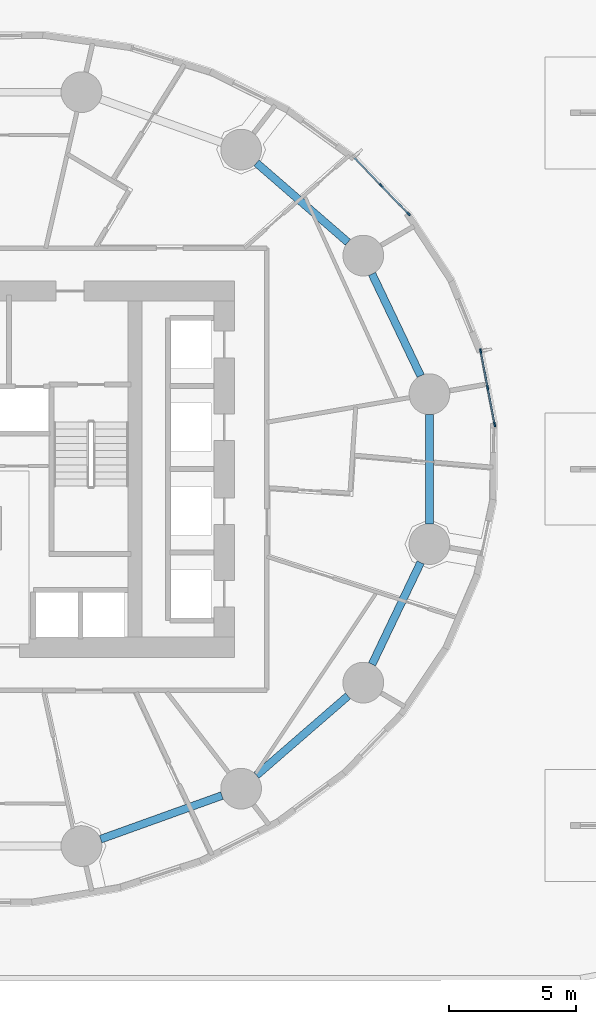
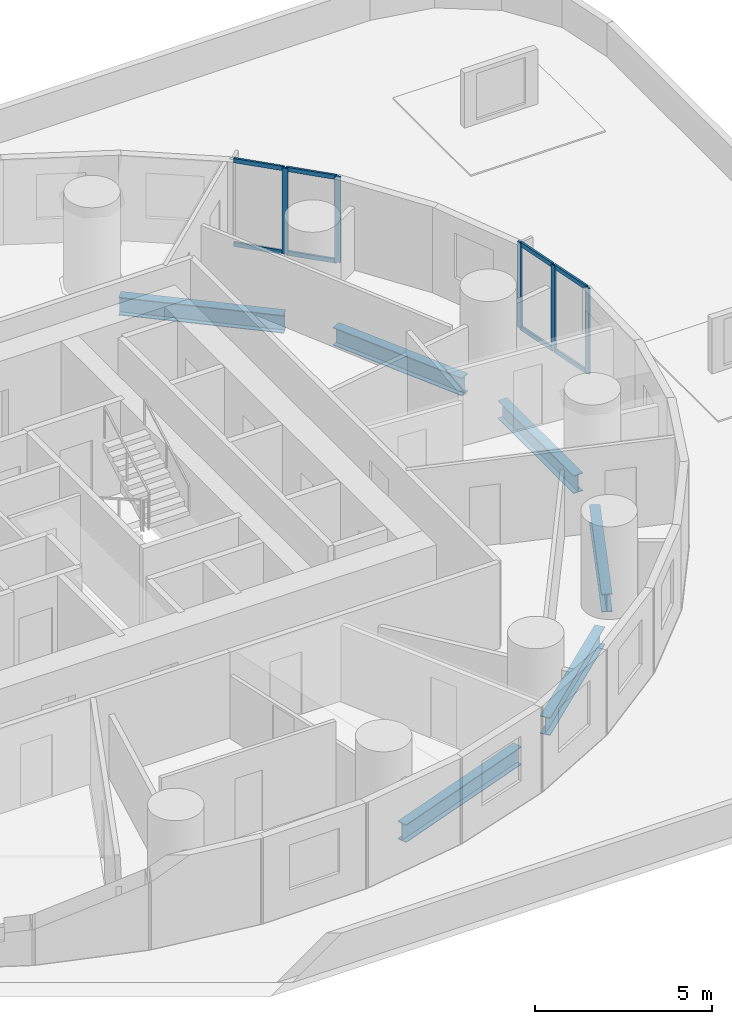
# One storey, part 3 of 12: 13 members, 6 beams, 2 elements without a shape of their own.
"""IFC4 building model written with IfcOpenShell, lengths in metres."""

import ifcopenshell
import ifcopenshell.guid

model = None  # the IFC model being written
_history = None  # IfcOwnerHistory: only IFC2X3 demands one
_inside = {}  # id of a spatial element -> (the spatial element, [elements in it])
_under = {}  # id of a project, library or spatial element -> (it, [spatial elements below it])
_declared = {}  # id of a project -> (the project, [libraries it declares])
_typed = {}  # id of a type object -> (the type object, [elements of that type])
_made_of = {}  # id of a material, layer set ... -> (it, [elements and type objects made of it])


def new_model(schema):
    """Start an empty IFC model of exactly this schema.

    Asked for "IFC4X3", IfcOpenShell would pick the latest addendum, in which some entities
    have other attributes; the version numbers below select the first issue.
    IFC2X3 requires an IfcOwnerHistory on every rooted entity: one is made here for all.
    """
    global model, _history
    if schema == "IFC4X3":
        model = ifcopenshell.file(schema_version=(4, 3, 0, 0))
    else:
        model = ifcopenshell.file(schema=schema)
    _inside.clear()
    _under.clear()
    _declared.clear()
    _typed.clear()
    _made_of.clear()
    _history = None
    if model.schema == "IFC2X3":
        org = make("IfcOrganization", Name="unknown")
        user = make(
            "IfcPersonAndOrganization",
            ThePerson=make("IfcPerson", FamilyName="unknown"),
            TheOrganization=org,
        )
        app = make(
            "IfcApplication",
            ApplicationDeveloper=org,
            Version="unknown",
            ApplicationFullName="unknown",
            ApplicationIdentifier="unknown",
        )
        _history = make(
            "IfcOwnerHistory",
            OwningUser=user,
            OwningApplication=app,
            ChangeAction="ADDED",
            CreationDate=0,
        )
    return model


def make(cls, **values):
    """One entity of the class cls with the attributes given. An attribute that is None is left unset."""
    return model.create_entity(
        cls, **{name: value for name, value in values.items() if value is not None}
    )


def rooted(cls, **values):
    """An entity with a GlobalId (a new one), such as an element, a storey or a relation."""
    return make(cls, GlobalId=ifcopenshell.guid.new(), OwnerHistory=_history, **values)


def si_unit(unit_type, name, prefix=None):
    """IfcSIUnit, for example si_unit("LENGTHUNIT", "METRE", prefix="MILLI")."""
    return make("IfcSIUnit", UnitType=unit_type, Prefix=prefix, Name=name)


def assignment(units):
    """IfcUnitAssignment: the units of a project."""
    return None if units is None else make("IfcUnitAssignment", Units=units)


def point(xyz):
    """IfcCartesianPoint."""
    return None if xyz is None else make("IfcCartesianPoint", Coordinates=xyz)


def direction(xyz):
    """IfcDirection."""
    return None if xyz is None else make("IfcDirection", DirectionRatios=xyz)


def frame(location, z_axis=None, x_axis=None):
    """IfcAxis2Placement3D, a coordinate frame: its origin and axes. An axis left out is left unset."""
    return make(
        "IfcAxis2Placement3D",
        Location=point(location),
        Axis=direction(z_axis),
        RefDirection=direction(x_axis),
    )


def frame_2d(location, x_axis=None):
    """IfcAxis2Placement2D, a coordinate frame in the plane: its origin and x axis."""
    return make(
        "IfcAxis2Placement2D", Location=point(location), RefDirection=direction(x_axis)
    )


def origin():
    """The frame at (0, 0, 0) with its axes left unset."""
    return frame((0.0, 0.0, 0.0))


def origin_2d():
    """The frame at (0, 0) in the plane with its x axis left unset."""
    return frame_2d((0.0, 0.0))


def place(relative_to, where):
    """IfcLocalPlacement: puts the frame where relative to a parent placement (None: the world)."""
    return make(
        "IfcLocalPlacement", PlacementRelTo=relative_to, RelativePlacement=where
    )


def context(
    kind, dimensions, precision=None, world=None, true_north=None, identifier=None
):
    """IfcGeometricRepresentationContext, for example the 3D "Model" context."""
    return make(
        "IfcGeometricRepresentationContext",
        ContextIdentifier=identifier,
        ContextType=kind,
        CoordinateSpaceDimension=dimensions,
        Precision=precision,
        WorldCoordinateSystem=world,
        TrueNorth=true_north,
    )


def subcontext(parent, identifier, kind, view, scale=None):
    """IfcGeometricRepresentationSubContext, for example "Body" below "Model"."""
    return make(
        "IfcGeometricRepresentationSubContext",
        ContextIdentifier=identifier,
        ContextType=kind,
        ParentContext=parent,
        TargetScale=scale,
        TargetView=view,
    )


def project(units=None, contexts=None):
    """IfcProject with its units and contexts."""
    return rooted(
        "IfcProject",
        Name="project",
        RepresentationContexts=contexts,
        UnitsInContext=assignment(units),
    )


def spatial(cls, under=None, at=None, **own):
    """A site, building, storey or space (cls), placed at a placement, below another one or the project."""
    s = rooted(cls, ObjectPlacement=at, **own)
    if under is not None:
        _under.setdefault(under.id(), (under, []))[1].append(s)
    return s


def profile(cls, at=None, kind="AREA", **sizes):
    """A parametric profile (cls). Its sizes go by their IFC names, for example OverallWidth=200.0."""
    return make(cls, ProfileType=kind, Position=at, **sizes)


def rectangle(**sizes):
    """IfcRectangleProfileDef."""
    return profile("IfcRectangleProfileDef", **sizes)


def i_section(**sizes):
    """IfcIShapeProfileDef."""
    return profile("IfcIShapeProfileDef", **sizes)


def extrude(swept, where, along, depth):
    """IfcExtrudedAreaSolid: the profile swept, set in the frame where, extruded along a direction by depth."""
    return make(
        "IfcExtrudedAreaSolid",
        SweptArea=swept,
        Position=where,
        ExtrudedDirection=direction(along),
        Depth=depth,
    )


def shape(context_of_items, identifier, shape_type, items):
    """IfcShapeRepresentation: the items that make up one representation, for example the "Body"."""
    return make(
        "IfcShapeRepresentation",
        ContextOfItems=context_of_items,
        RepresentationIdentifier=identifier,
        RepresentationType=shape_type,
        Items=items,
    )


def material(Name=None, Category=None):
    """IfcMaterial."""
    return make("IfcMaterial", Name=Name, Category=Category)


def material_profile(
    of_material, cross_section, Name=None, Category=None, Priority=None
):
    """IfcMaterialProfile: a cross section and its material."""
    return make(
        "IfcMaterialProfile",
        Name=Name,
        Material=of_material,
        Profile=cross_section,
        Priority=Priority,
        Category=Category,
    )


def profile_set(profiles, Name=None, composite=None):
    """IfcMaterialProfileSet."""
    return make(
        "IfcMaterialProfileSet",
        Name=Name,
        MaterialProfiles=profiles,
        CompositeProfile=composite,
    )


def made_of(thing, what):
    """Note that an element or type object is made of a material, layer set ...; save() writes the relation."""
    if what is not None:
        _made_of.setdefault(what.id(), (what, []))[1].append(thing)
    return thing


def type_object(cls, material=None, **own):
    """A type object (cls), such as IfcWallType, which elements share."""
    return made_of(rooted(cls, **own), material)


def element(
    cls,
    number,
    at=None,
    inside=None,
    cuts=None,
    type_object=None,
    material=None,
    context=None,
    identifier="Body",
    shape_type=None,
    held_by="IfcProductDefinitionShape",
    body=None,
    shapes=None,
    **own,
):
    """One element of the class cls, such as IfcWall. Its Tag is "e" and its number.

    at: its placement. inside: the storey or other place that contains it. cuts: it is an
    opening in that element (IfcRelVoidsElement). A single representation is given by context,
    identifier, shape_type and body (its items); several are given by shapes. held_by: the class
    of the entity that holds the representations. save() writes the other relations.
    """
    e = rooted(cls, Tag="e%d" % number, ObjectPlacement=at, **own)
    if body is not None:
        shapes = [shape(context, identifier, shape_type, body)]
    if shapes is not None:
        e.Representation = make(held_by, Representations=shapes)
    if inside is not None:
        _inside.setdefault(inside.id(), (inside, []))[1].append(e)
    if cuts is not None:
        rooted(
            "IfcRelVoidsElement", RelatingBuildingElement=cuts, RelatedOpeningElement=e
        )
    if type_object is not None:
        _typed.setdefault(type_object.id(), (type_object, []))[1].append(e)
    return made_of(e, material)


def aggregate(whole, parts):
    """IfcRelAggregates: a whole, such as a stair, and the parts it consists of."""
    return rooted("IfcRelAggregates", RelatingObject=whole, RelatedObjects=parts)


def save(model, path):
    """Write the relations noted so far, then the file.

    IfcRelAggregates (storeys below a building ...), IfcRelContainedInSpatialStructure (elements
    in a storey), IfcRelDefinesByType, IfcRelAssociatesMaterial and IfcRelDeclares: one each for
    every whole, place, type object, material and project.
    """
    for whole, parts in _under.values():
        aggregate(whole, parts)
    for where, things in _inside.values():
        rooted(
            "IfcRelContainedInSpatialStructure",
            RelatedElements=things,
            RelatingStructure=where,
        )
    for kind, things in _typed.values():
        rooted("IfcRelDefinesByType", RelatedObjects=things, RelatingType=kind)
    for what, things in _made_of.values():
        rooted("IfcRelAssociatesMaterial", RelatedObjects=things, RelatingMaterial=what)
    for by, libraries in _declared.values():
        rooted("IfcRelDeclares", RelatingContext=by, RelatedDefinitions=libraries)
    model.write(path)


model = new_model("IFC4")

# Units and contexts
model_context = context("Model", 3, precision=1e-05, world=origin(), true_north=direction((0.0, 1.0)))
body_context = subcontext(model_context, "Body", "Model", "MODEL_VIEW")
ifc_project = project(units=[si_unit("LENGTHUNIT", "METRE"), si_unit("AREAUNIT", "SQUARE_METRE"), si_unit("VOLUMEUNIT", "CUBIC_METRE"), si_unit("PLANEANGLEUNIT", "RADIAN"), si_unit("MASSUNIT", "GRAM", prefix="KILO")], contexts=[model_context])

# Site, building, storey
site_placement = place(None, origin())
site = spatial("IfcSite", under=ifc_project, at=site_placement, CompositionType="ELEMENT")
building_placement = place(site_placement, origin())
building = spatial("IfcBuilding", under=site, at=building_placement, Name="Veldorim Arch Residences", CompositionType="ELEMENT")
storey_placement = place(building_placement, frame((0.0, 0.0, 24.800048828125)))
storey = spatial("IfcBuildingStorey", under=building, at=storey_placement, Name="L06", CompositionType="ELEMENT", Elevation=24.800048828125)

# Beams
ifc_material_1 = material(Name="Steel S355", Category="steel")
ifc_material_profile_1 = material_profile(ifc_material_1, i_section(OverallWidth=0.30712890625, OverallDepth=0.6201171875, WebThickness=0.01416015625, FlangeThickness=0.023681640625, at=origin_2d()), Name="UB610x305x179")
ifc_profile_set_1 = profile_set([ifc_material_profile_1], Name="Steel S355")
beam_type = type_object("IfcBeamType", Name="Structural Steel Beam UB610x305x179", PredefinedType="BEAM", material=ifc_profile_set_1)
beam_1_placement = place(storey_placement, frame((48.72119140625, 27.66796875, -0.550048828125), z_axis=(-0.430786696724, 0.902453778276, 0.0), x_axis=(-0.902453778276, -0.430786696724, 0.0)))
element("IfcBeam", 1, at=beam_1_placement, inside=storey, type_object=beam_type, Name="L06 perimeter ring tie beam 01", PredefinedType="BEAM", context=body_context, shape_type="SweptSolid", body=[
    extrude(i_section(OverallWidth=0.30712890625, OverallDepth=0.6201171875, WebThickness=0.01416015625, FlangeThickness=0.023681640625, at=origin_2d()), origin(), (0.0, 0.0, 1.0), 4.431396484375),
])
beam_2_placement = place(storey_placement, frame((45.86328125, 32.913330078125, -0.550048828125), z_axis=(-0.755235029424, 0.655454079499, 0.0), x_axis=(-0.655454079499, -0.755235029424, 0.0)))
element("IfcBeam", 2, at=beam_2_placement, inside=storey, type_object=beam_type, Name="L06 perimeter ring tie beam 02", PredefinedType="BEAM", context=body_context, shape_type="SweptSolid", body=[
    extrude(i_section(OverallWidth=0.30712890625, OverallDepth=0.6201171875, WebThickness=0.01416015625, FlangeThickness=0.023681640625, at=origin_2d()), origin(), (0.0, 0.0, 1.0), 4.756591796875),
])
beam_3_placement = place(storey_placement, frame((36.1474609375, 9.460693359375, -0.550048828125), z_axis=(0.94103540046, 0.338308106732, 0.0), x_axis=(-0.338308106732, 0.94103540046, 0.0)))
element("IfcBeam", 3, at=beam_3_placement, inside=storey, type_object=beam_type, Name="L06 perimeter ring tie beam 13", PredefinedType="BEAM", context=body_context, shape_type="SweptSolid", body=[
    extrude(i_section(OverallWidth=0.30712890625, OverallDepth=0.6201171875, WebThickness=0.01416015625, FlangeThickness=0.023681640625, at=origin_2d()), origin(), (0.0, 0.0, 1.0), 5.065185546875),
])
beam_4_placement = place(storey_placement, frame((42.27099609375, 11.968994140625, -0.550048828125), z_axis=(0.755235029424, 0.655454079499, 0.0), x_axis=(-0.655454079499, 0.755235029424, 0.0)))
element("IfcBeam", 4, at=beam_4_placement, inside=storey, type_object=beam_type, Name="L06 perimeter ring tie beam 14", PredefinedType="BEAM", context=body_context, shape_type="SweptSolid", body=[
    extrude(i_section(OverallWidth=0.30712890625, OverallDepth=0.6201171875, WebThickness=0.01416015625, FlangeThickness=0.023681640625, at=origin_2d()), origin(), (0.0, 0.0, 1.0), 4.756591796875),
])
beam_5_placement = place(storey_placement, frame((46.812255859375, 16.3330078125, -0.550048828125), z_axis=(0.430786696724, 0.902453778276, 0.0), x_axis=(-0.902453778276, 0.430786696724, 0.0)))
element("IfcBeam", 5, at=beam_5_placement, inside=storey, type_object=beam_type, Name="L06 perimeter ring tie beam 15", PredefinedType="BEAM", context=body_context, shape_type="SweptSolid", body=[
    extrude(i_section(OverallWidth=0.30712890625, OverallDepth=0.6201171875, WebThickness=0.01416015625, FlangeThickness=0.023681640625, at=origin_2d()), origin(), (0.0, 0.0, 1.0), 4.431396484375),
])
beam_6_placement = place(storey_placement, frame((49.065673828125, 21.85400390625, -0.550048828125), z_axis=(0.0, 1.0, 0.0), x_axis=(-1.0, 0.0, 0.0)))
element("IfcBeam", 6, at=beam_6_placement, inside=storey, type_object=beam_type, Name="L06 perimeter ring tie beam 16", PredefinedType="BEAM", context=body_context, shape_type="SweptSolid", body=[
    extrude(i_section(OverallWidth=0.30712890625, OverallDepth=0.6201171875, WebThickness=0.01416015625, FlangeThickness=0.023681640625, at=origin_2d()), origin(), (0.0, 0.0, 1.0), 4.2919921875),
])

# Curtain wall, members
ifc_material_2 = material(Name="Aluminium", Category="aluminium")
curtain_wall_type = type_object("IfcCurtainWallType", Name="Zone 1 Acoustic Low-E Unitised Curtain Wall", PredefinedType="NOTDEFINED", material=ifc_material_2)
curtain_wall_1_placement = place(storey_placement, origin())
curtain_wall_1 = element("IfcCurtainWall", 7, at=curtain_wall_1_placement, inside=storey, type_object=curtain_wall_type, Name="L06 unitised curtain wall bay 01", PredefinedType="NOTDEFINED")
ifc_material_3 = material(Name="Aluminium", Category="aluminium")
ifc_material_profile_2 = material_profile(ifc_material_3, rectangle(XDim=0.06494140625, YDim=0.175048828125, at=origin_2d()), Name="ALU_MUL_65x175")
ifc_profile_set_2 = profile_set([ifc_material_profile_2], Name="Aluminium")
member_type_1 = type_object("IfcMemberType", Name="Zone 1 Acoustic Low-E Unitised Curtain Wall Mullion 65x175", PredefinedType="MULLION", material=ifc_profile_set_2)
member_1_placement = place(storey_placement, frame((51.0791015625, 28.639404296875, 0.0), z_axis=(0.0, 0.0, 1.0), x_axis=(0.982317566124, 0.187222325819, 0.0)))
member_1 = element("IfcMember", 8, at=member_1_placement, type_object=member_type_1, Name="CW-Z1 mullion 1", PredefinedType="MULLION", context=body_context, shape_type="SweptSolid", body=[
    extrude(rectangle(XDim=0.06494140625, YDim=0.175048828125, at=origin_2d()), origin(), (0.0, 0.0, 1.0), 2.9599609375),
])
member_2_placement = place(storey_placement, frame((51.35400390625, 27.197021484375, 0.0), z_axis=(0.0, 0.0, 1.0), x_axis=(0.982317566124, 0.187222325819, 0.0)))
member_2 = element("IfcMember", 9, at=member_2_placement, type_object=member_type_1, Name="CW-Z1 mullion 2", PredefinedType="MULLION", context=body_context, shape_type="SweptSolid", body=[
    extrude(rectangle(XDim=0.06494140625, YDim=0.175048828125, at=origin_2d()), origin(), (0.0, 0.0, 1.0), 2.9599609375),
])
member_3_placement = place(storey_placement, frame((51.62890625, 25.754638671875, 0.0), z_axis=(0.0, 0.0, 1.0), x_axis=(0.982317566124, 0.187222325819, 0.0)))
member_3 = element("IfcMember", 10, at=member_3_placement, type_object=member_type_1, Name="CW-Z1 mullion 3", PredefinedType="MULLION", context=body_context, shape_type="SweptSolid", body=[
    extrude(rectangle(XDim=0.06494140625, YDim=0.175048828125, at=origin_2d()), origin(), (0.0, 0.0, 1.0), 2.9599609375),
])

curtain_wall_2_placement = place(storey_placement, origin())
curtain_wall_2 = element("IfcCurtainWall", 11, at=curtain_wall_2_placement, inside=storey, type_object=curtain_wall_type, Name="L06 unitised curtain wall bay 04", PredefinedType="NOTDEFINED")
member_4_placement = place(storey_placement, frame((47.166748046875, 35.14697265625, 0.0), z_axis=(0.0, 0.0, 1.0), x_axis=(0.720420523139, 0.693537504278, 0.0)))
member_4 = element("IfcMember", 12, at=member_4_placement, type_object=member_type_1, Name="CW-Z1 mullion 2", PredefinedType="MULLION", context=body_context, shape_type="SweptSolid", body=[
    extrude(rectangle(XDim=0.06494140625, YDim=0.175048828125, at=origin_2d()), origin(), (0.0, 0.0, 1.0), 2.9599609375),
])
member_5_placement = place(storey_placement, frame((48.23828125, 34.0341796875, 0.0), z_axis=(0.0, 0.0, 1.0), x_axis=(0.720420523139, 0.693537504278, 0.0)))
member_5 = element("IfcMember", 13, at=member_5_placement, type_object=member_type_1, Name="CW-Z1 mullion 3", PredefinedType="MULLION", context=body_context, shape_type="SweptSolid", body=[
    extrude(rectangle(XDim=0.06494140625, YDim=0.175048828125, at=origin_2d()), origin(), (0.0, 0.0, 1.0), 2.9599609375),
])

# Member
ifc_material_4 = material(Name="Aluminium", Category="aluminium")
ifc_material_profile_3 = material_profile(ifc_material_4, rectangle(XDim=0.06494140625, YDim=0.14990234375, at=origin_2d()), Name="ALU_TRN_65x150")
ifc_profile_set_3 = profile_set([ifc_material_profile_3], Name="Aluminium")
member_type_2 = type_object("IfcMemberType", Name="Zone 1 Acoustic Low-E Unitised Curtain Wall Transom 65x150", PredefinedType="USERDEFINED", material=ifc_profile_set_3)
member_6_placement = place(storey_placement, frame((51.085205078125, 28.607421875, 0.032470703125), z_axis=(0.187176056103, -0.982326383654, 0.0), x_axis=(0.982326383654, 0.187176056103, 0.0)))
member_6 = element("IfcMember", 14, at=member_6_placement, type_object=member_type_2, Name="CW-Z1 transom 1.1", ObjectType="TRANSOM", PredefinedType="USERDEFINED", context=body_context, shape_type="SweptSolid", body=[
    extrude(rectangle(XDim=0.06494140625, YDim=0.14990234375, at=origin_2d()), origin(), (0.0, 0.0, 1.0), 1.403564453125),
])

member_7_placement = place(storey_placement, frame((51.085205078125, 28.607421875, 2.927490234375), z_axis=(0.187176056103, -0.982326383654, 0.0), x_axis=(0.982326383654, 0.187176056103, 0.0)))
member_7 = element("IfcMember", 15, at=member_7_placement, type_object=member_type_2, Name="CW-Z1 transom 1.2", ObjectType="TRANSOM", PredefinedType="USERDEFINED", context=body_context, shape_type="SweptSolid", body=[
    extrude(rectangle(XDim=0.06494140625, YDim=0.14990234375, at=origin_2d()), origin(), (0.0, 0.0, 1.0), 1.403564453125),
])

member_8_placement = place(storey_placement, frame((51.360107421875, 27.1650390625, 0.032470703125), z_axis=(0.187176056103, -0.982326383654, 0.0), x_axis=(0.982326383654, 0.187176056103, 0.0)))
member_8 = element("IfcMember", 16, at=member_8_placement, type_object=member_type_2, Name="CW-Z1 transom 2.1", ObjectType="TRANSOM", PredefinedType="USERDEFINED", context=body_context, shape_type="SweptSolid", body=[
    extrude(rectangle(XDim=0.06494140625, YDim=0.14990234375, at=origin_2d()), origin(), (0.0, 0.0, 1.0), 1.403564453125),
])

member_9_placement = place(storey_placement, frame((51.360107421875, 27.1650390625, 2.927490234375), z_axis=(0.187176056103, -0.982326383654, 0.0), x_axis=(0.982326383654, 0.187176056103, 0.0)))
member_9 = element("IfcMember", 17, at=member_9_placement, type_object=member_type_2, Name="CW-Z1 transom 2.2", ObjectType="TRANSOM", PredefinedType="USERDEFINED", context=body_context, shape_type="SweptSolid", body=[
    extrude(rectangle(XDim=0.06494140625, YDim=0.14990234375, at=origin_2d()), origin(), (0.0, 0.0, 1.0), 1.403564453125),
])

aggregate(curtain_wall_1, [member_1, member_2, member_3, member_6, member_7, member_8, member_9])

member_10_placement = place(storey_placement, frame((46.1181640625, 36.236572265625, 0.032470703125), z_axis=(0.693448255171, -0.7205064312, 0.0), x_axis=(0.7205064312, 0.693448255171, 0.0)))
member_10 = element("IfcMember", 18, at=member_10_placement, type_object=member_type_2, Name="CW-Z1 transom 1.1", ObjectType="TRANSOM", PredefinedType="USERDEFINED", context=body_context, shape_type="SweptSolid", body=[
    extrude(rectangle(XDim=0.06494140625, YDim=0.14990234375, at=origin_2d()), origin(), (0.0, 0.0, 1.0), 1.479736328125),
])

member_11_placement = place(storey_placement, frame((46.1181640625, 36.236572265625, 2.927490234375), z_axis=(0.693448255171, -0.7205064312, 0.0), x_axis=(0.7205064312, 0.693448255171, 0.0)))
member_11 = element("IfcMember", 19, at=member_11_placement, type_object=member_type_2, Name="CW-Z1 transom 1.2", ObjectType="TRANSOM", PredefinedType="USERDEFINED", context=body_context, shape_type="SweptSolid", body=[
    extrude(rectangle(XDim=0.06494140625, YDim=0.14990234375, at=origin_2d()), origin(), (0.0, 0.0, 1.0), 1.479736328125),
])

member_12_placement = place(storey_placement, frame((47.189453125, 35.12353515625, 0.032470703125), z_axis=(0.693530694473, -0.720427078769, 0.0), x_axis=(0.720427078769, 0.693530694473, 0.0)))
member_12 = element("IfcMember", 20, at=member_12_placement, type_object=member_type_2, Name="CW-Z1 transom 2.1", ObjectType="TRANSOM", PredefinedType="USERDEFINED", context=body_context, shape_type="SweptSolid", body=[
    extrude(rectangle(XDim=0.06494140625, YDim=0.14990234375, at=origin_2d()), origin(), (0.0, 0.0, 1.0), 1.4794921875),
])

member_13_placement = place(storey_placement, frame((47.189453125, 35.12353515625, 2.927490234375), z_axis=(0.693530694473, -0.720427078769, 0.0), x_axis=(0.720427078769, 0.693530694473, 0.0)))
member_13 = element("IfcMember", 21, at=member_13_placement, type_object=member_type_2, Name="CW-Z1 transom 2.2", ObjectType="TRANSOM", PredefinedType="USERDEFINED", context=body_context, shape_type="SweptSolid", body=[
    extrude(rectangle(XDim=0.06494140625, YDim=0.14990234375, at=origin_2d()), origin(), (0.0, 0.0, 1.0), 1.4794921875),
])

aggregate(curtain_wall_2, [member_4, member_5, member_10, member_11, member_12, member_13])

save(model, "model.ifc")
